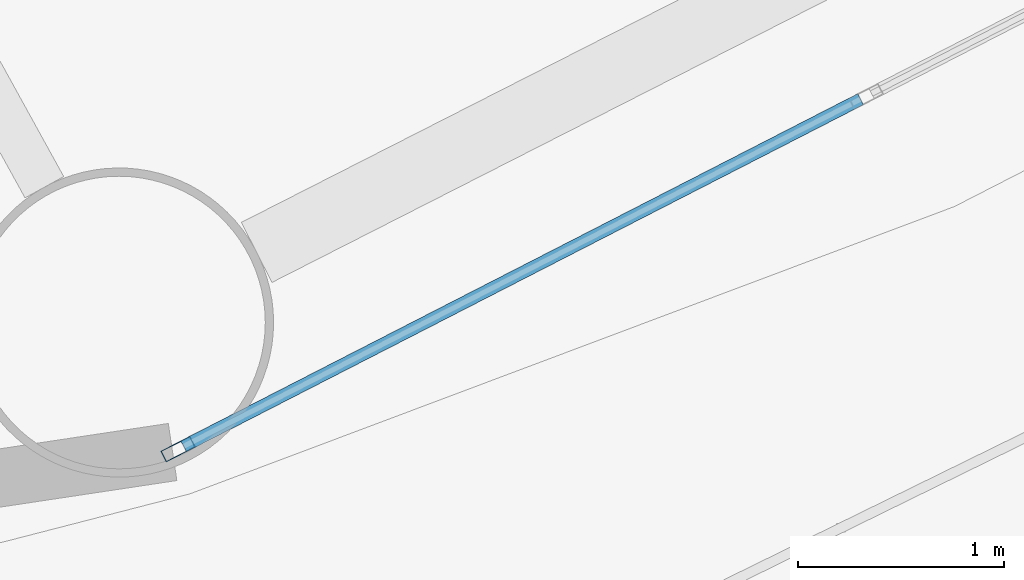
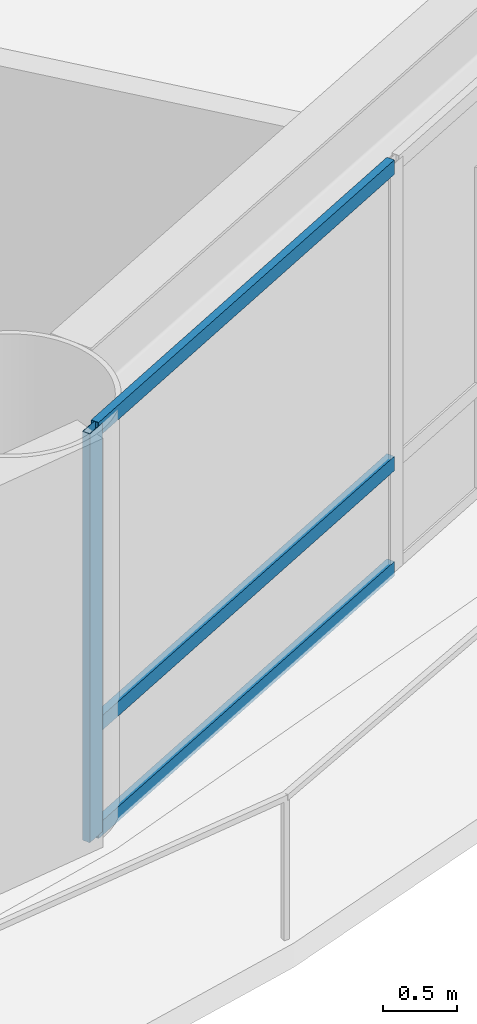
# One storey, part 6 of 28: 4 members, 1 element without a shape of its own.
"""IFC4 building model written with IfcOpenShell, lengths in metres."""

from ifc_helpers import new_model, si_unit, direction, frame, origin, origin_2d, place, context, subcontext, project, spatial, hollow_rectangle, extrude, material, layer, layer_set, material_profile, profile_set, type_object, element, aggregate, save


model = new_model("IFC4")

# Units and contexts
model_context = context("Model", 3, precision=1e-05, world=origin(), true_north=direction((0.0, 1.0)))
body_context = subcontext(model_context, "Body", "Model", "MODEL_VIEW")
ifc_project = project(units=[si_unit("LENGTHUNIT", "METRE"), si_unit("AREAUNIT", "SQUARE_METRE"), si_unit("VOLUMEUNIT", "CUBIC_METRE"), si_unit("PLANEANGLEUNIT", "RADIAN"), si_unit("MASSUNIT", "GRAM", prefix="KILO")], contexts=[model_context])

# Site, building, storey
site_placement = place(None, origin())
site = spatial("IfcSite", under=ifc_project, at=site_placement, CompositionType="ELEMENT")
building_placement = place(site_placement, origin())
building = spatial("IfcBuilding", under=site, at=building_placement, Name="Sarneth Arch Tower", CompositionType="ELEMENT")
storey_placement = place(building_placement, frame((0.0, 0.0, 31.800048828125)))
storey = spatial("IfcBuildingStorey", under=building, at=storey_placement, Name="L06", CompositionType="ELEMENT", Elevation=31.800048828125)

# Curtain wall, members
ifc_material_1 = material(Name="Anodised aluminium Type AA25 and solar-control low-e laminated IGU", Category="aluminium")
ifc_layer = layer(ifc_material_1, 0.159912109375)
ifc_layer_set = layer_set([ifc_layer], Name="Anodised aluminium Type AA25 and solar-control low-e laminated IGU")
curtain_wall_type = type_object("IfcCurtainWallType", Name="CW-HOTEL-LOW", PredefinedType="NOTDEFINED", material=ifc_layer_set)
curtain_wall_placement = place(storey_placement, origin())
curtain_wall = element("IfcCurtainWall", 1, at=curtain_wall_placement, inside=storey, type_object=curtain_wall_type, Name="L06 Unitised curtain wall facet 14", PredefinedType="NOTDEFINED")
ifc_material_2 = material(Name="Anodised Aluminium 6063-T6", Category="aluminium")
ifc_material_profile_1 = material_profile(ifc_material_2, hollow_rectangle(XDim=0.06005859375, YDim=0.159912109375, WallThickness=0.00390625, at=origin_2d()), Name="AL-MULL-160x60x4")
ifc_profile_set_1 = profile_set([ifc_material_profile_1], Name="Anodised Aluminium 6063-T6")
member_type_1 = type_object("IfcMemberType", Name="CW-MULLION", PredefinedType="MULLION", material=ifc_profile_set_1)
member_1_placement = place(storey_placement, frame((60.1044921875, 19.951416015625, 0.0), z_axis=(0.0, 0.0, 1.0), x_axis=(-0.456245197127, 0.889854100456, 0.0)))
member_1 = element("IfcMember", 2, at=member_1_placement, type_object=member_type_1, Name="CW-SYS-3 mullion 1", PredefinedType="MULLION", context=body_context, shape_type="SweptSolid", body=[
    extrude(hollow_rectangle(XDim=0.06005859375, YDim=0.159912109375, WallThickness=0.00390625, at=origin_2d()), origin(), (0.0, 0.0, 1.0), 3.3798828125),
])
ifc_material_3 = material(Name="Anodised Aluminium 6063-T6", Category="aluminium")
ifc_material_profile_2 = material_profile(ifc_material_3, hollow_rectangle(XDim=0.06005859375, YDim=0.1201171875, WallThickness=0.00390625, at=origin_2d()), Name="AL-TRAN-120x60x4")
ifc_profile_set_2 = profile_set([ifc_material_profile_2], Name="Anodised Aluminium 6063-T6")
member_type_2 = type_object("IfcMemberType", Name="CW-TRANSOM", PredefinedType="USERDEFINED", material=ifc_profile_set_2)
member_2_placement = place(storey_placement, frame((60.13134765625, 19.965087890625, 0.030029296875), z_axis=(0.889831232102, 0.456289796485, 0.0), x_axis=(-0.456289796485, 0.889831232102, 0.0)))
member_2 = element("IfcMember", 3, at=member_2_placement, type_object=member_type_2, Name="CW-SYS-3 transom 1.1", ObjectType="TRANSOM", PredefinedType="USERDEFINED", context=body_context, shape_type="SweptSolid", body=[
    extrude(hollow_rectangle(XDim=0.06005859375, YDim=0.1201171875, WallThickness=0.00390625, at=origin_2d()), origin(), (0.0, 0.0, 1.0), 3.69189453125),
])
member_3_placement = place(storey_placement, frame((60.13134765625, 19.965087890625, 0.89990234375), z_axis=(0.889831232102, 0.456289796485, 0.0), x_axis=(-0.456289796485, 0.889831232102, 0.0)))
member_3 = element("IfcMember", 4, at=member_3_placement, type_object=member_type_2, Name="CW-SYS-3 transom 1.2", ObjectType="TRANSOM", PredefinedType="USERDEFINED", context=body_context, shape_type="SweptSolid", body=[
    extrude(hollow_rectangle(XDim=0.06005859375, YDim=0.1201171875, WallThickness=0.00390625, at=origin_2d()), origin(), (0.0, 0.0, 1.0), 3.69189453125),
])
member_4_placement = place(storey_placement, frame((60.13134765625, 19.965087890625, 3.349853515625), z_axis=(0.889831232102, 0.456289796485, 0.0), x_axis=(-0.456289796485, 0.889831232102, 0.0)))
member_4 = element("IfcMember", 5, at=member_4_placement, type_object=member_type_2, Name="CW-SYS-3 transom 1.3", ObjectType="TRANSOM", PredefinedType="USERDEFINED", context=body_context, shape_type="SweptSolid", body=[
    extrude(hollow_rectangle(XDim=0.06005859375, YDim=0.1201171875, WallThickness=0.00390625, at=origin_2d()), origin(), (0.0, 0.0, 1.0), 3.69189453125),
])
aggregate(curtain_wall, [member_1, member_2, member_3, member_4])

save(model, "model.ifc")
